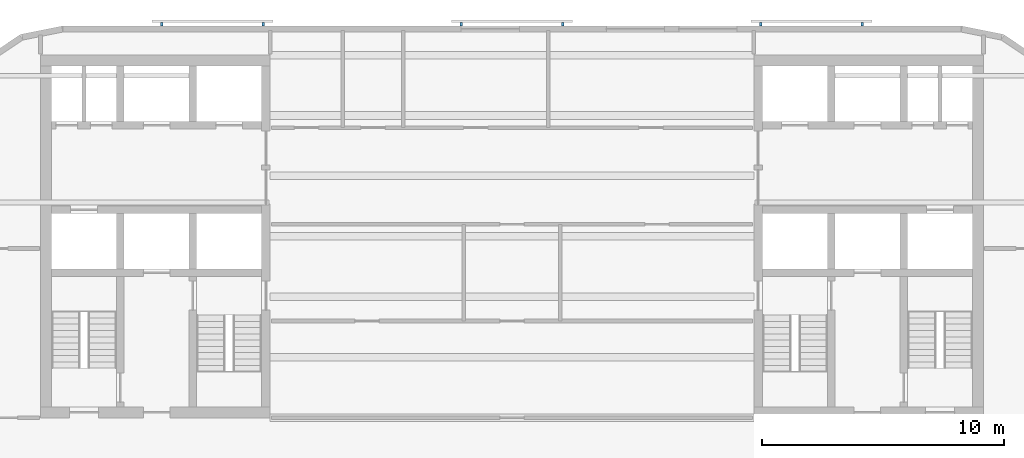
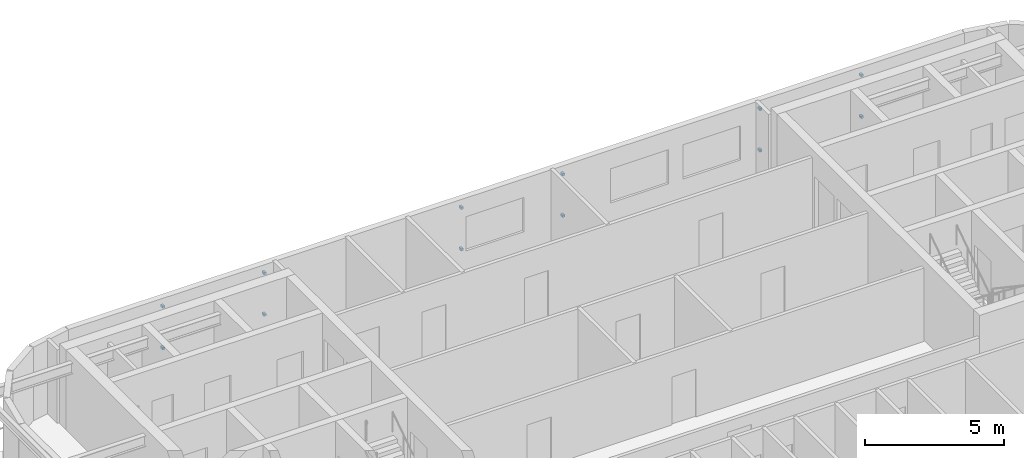
# One storey, part 8 of 11: 12 discrete accessories.
"""IFC4 building model written with IfcOpenShell, lengths in metres."""

from ifc_helpers import new_model, si_unit, direction, frame, origin, origin_2d, place, context, subcontext, project, spatial, rectangle, extrude, material, type_object, element, save


model = new_model("IFC4")

# Units and contexts
model_context = context("Model", 3, precision=1e-05, world=origin(), true_north=direction((0.0, 1.0)))
body_context = subcontext(model_context, "Body", "Model", "MODEL_VIEW")
ifc_project = project(units=[si_unit("LENGTHUNIT", "METRE"), si_unit("AREAUNIT", "SQUARE_METRE"), si_unit("VOLUMEUNIT", "CUBIC_METRE"), si_unit("PLANEANGLEUNIT", "RADIAN"), si_unit("MASSUNIT", "GRAM", prefix="KILO")], contexts=[model_context])

# Site, building, storey
site_placement = place(None, origin())
site = spatial("IfcSite", under=ifc_project, at=site_placement, CompositionType="ELEMENT")
building_placement = place(site_placement, origin())
building = spatial("IfcBuilding", under=site, at=building_placement, Name="Torana Hotel and Residences", CompositionType="ELEMENT")
storey_placement = place(building_placement, frame((0.0, 0.0, 284.10009765625)))
storey = spatial("IfcBuildingStorey", under=building, at=storey_placement, Name="L75", CompositionType="ELEMENT", Elevation=284.10009765625)

# Discrete accessories
ifc_material = material(Name="Steel S355", Category="steel")
discrete_accessory_type = type_object("IfcDiscreteAccessoryType", Name="SCREEN BRACKET 100", PredefinedType="BRACKET", material=ifc_material)
for number, where, z_axis, x_axis, name in (
    (1, (14.483642578125, 1.27490234375, 0.749755859375), (0.0, 0.0, 1.0), (-1.0, 0.0, 0.0), "Screen bracket L75"),
    (2, (14.483642578125, 1.27490234375, 2.56982421875), (0.0, 0.0, 1.0), (-1.0, 0.0, 0.0), "Screen bracket L75"),
    (3, (10.28369140625, 1.27490234375, 0.749755859375), (0.0, 0.0, 1.0), (-1.0, 0.0, 0.0), "Screen bracket L75"),
    (4, (10.28369140625, 1.27490234375, 2.56982421875), (0.0, 0.0, 1.0), (-1.0, 0.0, 0.0), "Screen bracket L75"),
    (5, (2.10009765625, 1.27490234375, 0.749755859375), (0.0, 0.0, 1.0), (-1.0, 0.0, 0.0), "Screen bracket L75"),
    (6, (2.10009765625, 1.27490234375, 2.56982421875), (0.0, 0.0, 1.0), (-1.0, 0.0, 0.0), "Screen bracket L75"),
    (7, (-2.10009765625, 1.27490234375, 0.749755859375), (0.0, 0.0, 1.0), (-1.0, 0.0, 0.0), "Screen bracket L75"),
    (8, (-2.10009765625, 1.27490234375, 2.56982421875), (0.0, 0.0, 1.0), (-1.0, 0.0, 0.0), "Screen bracket L75"),
    (9, (-10.28369140625, 1.27490234375, 0.749755859375), (0.0, 0.0, 1.0), (-1.0, 0.0, 0.0), "Screen bracket L75"),
    (10, (-10.28369140625, 1.27490234375, 2.56982421875), (0.0, 0.0, 1.0), (-1.0, 0.0, 0.0), "Screen bracket L75"),
    (11, (-14.483642578125, 1.27490234375, 0.749755859375), (0.0, 0.0, 1.0), (-1.0, 0.0, 0.0), "Screen bracket L75"),
    (12, (-14.483642578125, 1.27490234375, 2.56982421875), (0.0, 0.0, 1.0), (-1.0, 0.0, 0.0), "Screen bracket L75"),
):
    element("IfcDiscreteAccessory", number, at=place(storey_placement, frame(where, z_axis=z_axis, x_axis=x_axis)), inside=storey, type_object=discrete_accessory_type, Name=name, PredefinedType="BRACKET", context=body_context, shape_type="SweptSolid", body=[
        extrude(rectangle(XDim=0.10009765625, YDim=0.14990234375, at=origin_2d()), origin(), (0.0, 0.0, 1.0), 0.10009765625),
    ])

save(model, "model.ifc")
